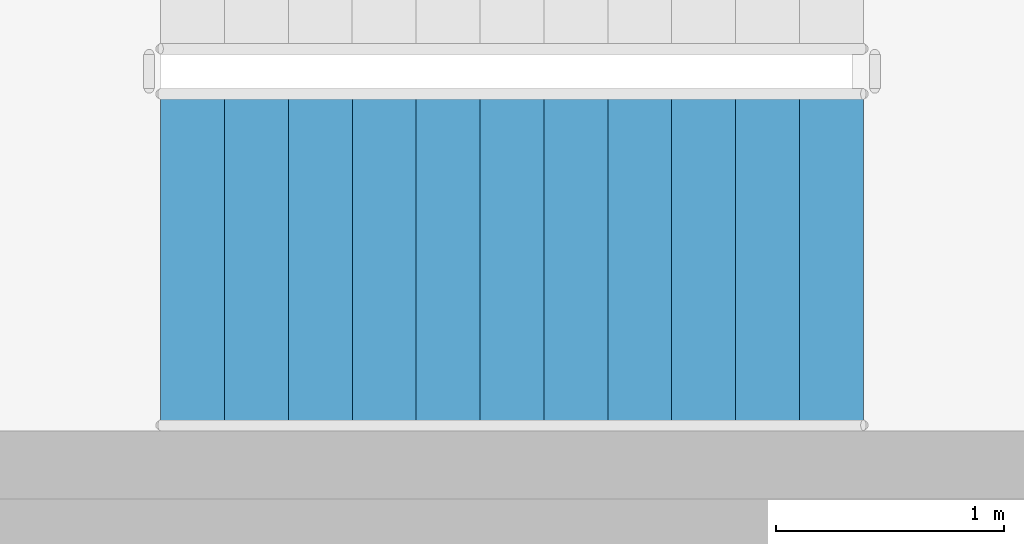
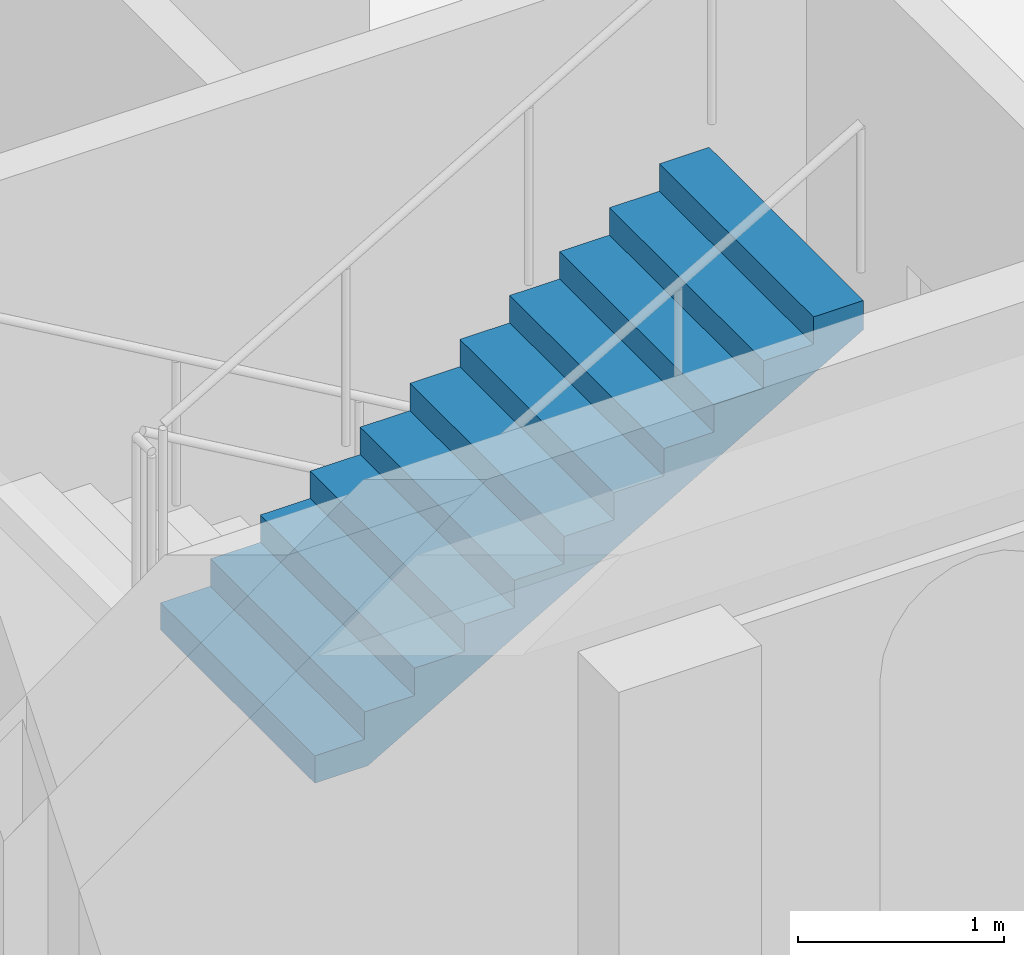
# One storey, part 47 of 56: 1 stair flight, 1 element without a shape of its own.
"""IFC4 building model written with IfcOpenShell, lengths in metres."""

from ifc_helpers import new_model, si_unit, direction, frame, origin, place, context, subcontext, project, spatial, triangles, material, type_object, element, aggregate, save


model = new_model("IFC4")

# Units and contexts
model_context = context("Model", 3, precision=1e-05, world=origin(), true_north=direction((0.0, 1.0)))
body_context = subcontext(model_context, "Body", "Model", "MODEL_VIEW")
ifc_project = project(units=[si_unit("LENGTHUNIT", "METRE"), si_unit("AREAUNIT", "SQUARE_METRE"), si_unit("VOLUMEUNIT", "CUBIC_METRE"), si_unit("PLANEANGLEUNIT", "RADIAN"), si_unit("MASSUNIT", "GRAM", prefix="KILO")], contexts=[model_context])

# Site, building, storey
site_placement = place(None, origin())
site = spatial("IfcSite", under=ifc_project, at=site_placement, CompositionType="ELEMENT")
building_placement = place(site_placement, origin())
building = spatial("IfcBuilding", under=site, at=building_placement, Name="Magnolia Steps Interchange", CompositionType="ELEMENT")
storey_placement = place(building_placement, frame((0.0, 0.0, 8.699951171875)))
storey = spatial("IfcBuildingStorey", under=building, at=storey_placement, Name="L02", CompositionType="ELEMENT", Elevation=8.699951171875)

# Stair, stair flight
ifc_material_1 = material(Name="Concrete C40", Category="concrete")
stair_type = type_object("IfcStairType", Name="Exit stair 1500", PredefinedType="HALF_TURN_STAIR", material=ifc_material_1)
stair_placement = place(storey_placement, origin())
stair = element("IfcStair", 1, at=stair_placement, inside=storey, type_object=stair_type, Name="L02 Stair 28", PredefinedType="HALF_TURN_STAIR")
ifc_material_2 = material(Name="Concrete C40", Category="concrete")
stair_flight_type = type_object("IfcStairFlightType", Name="Exit stair flight", PredefinedType="STRAIGHT", material=ifc_material_2)
stair_flight_placement = place(storey_placement, frame((66.070068359375, 97.60009765625, 1.949951171875), z_axis=(0.0, 0.0, 1.0), x_axis=(1.0, 0.0, 0.0)))
stair_flight = element("IfcStairFlight", 2, at=stair_flight_placement, type_object=stair_flight_type, Name="Stair 28 flight 2", NumberOfRisers=12, NumberOfTreads=11, PredefinedType="STRAIGHT", RiserHeight=0.1625, TreadLength=0.28, context=body_context, shape_type="Tessellation", body=[
    triangles([(0.0, -0.75, 0.0), (0.298583984375, -0.75, 0.0), (3.080078125, -0.75, 1.6142578125), (3.080078125, -0.75, 1.78759765625), (2.800048828125, -0.75, 1.78759765625), (2.800048828125, -0.75, 1.625), (2.52001953125, -0.75, 1.625), (2.52001953125, -0.75, 1.46240234375), (2.239990234375, -0.75, 1.46240234375), (2.239990234375, -0.75, 1.300048828125), (1.9599609375, -0.75, 1.300048828125), (1.9599609375, -0.75, 1.137451171875), (1.679931640625, -0.75, 1.137451171875), (1.679931640625, -0.75, 0.97509765625), (1.39990234375, -0.75, 0.97509765625), (1.39990234375, -0.75, 0.8125), (1.1201171875, -0.75, 0.8125), (1.1201171875, -0.75, 0.64990234375), (0.840087890625, -0.75, 0.64990234375), (0.840087890625, -0.75, 0.487548828125), (0.56005859375, -0.75, 0.487548828125), (0.56005859375, -0.75, 0.324951171875), (0.280029296875, -0.75, 0.324951171875), (0.280029296875, -0.75, 0.16259765625), (0.0, -0.75, 0.16259765625), (0.0, 0.75, 0.0), (0.298583984375, 0.75, 0.0), (3.080078125, 0.75, 1.6142578125), (3.080078125, 0.75, 1.78759765625), (2.800048828125, 0.75, 1.78759765625), (2.800048828125, 0.75, 1.625), (2.52001953125, 0.75, 1.625), (2.52001953125, 0.75, 1.46240234375), (2.239990234375, 0.75, 1.46240234375), (2.239990234375, 0.75, 1.300048828125), (1.9599609375, 0.75, 1.300048828125), (1.9599609375, 0.75, 1.137451171875), (1.679931640625, 0.75, 1.137451171875), (1.679931640625, 0.75, 0.97509765625), (1.39990234375, 0.75, 0.97509765625), (1.39990234375, 0.75, 0.8125), (1.1201171875, 0.75, 0.8125), (1.1201171875, 0.75, 0.64990234375), (0.840087890625, 0.75, 0.64990234375), (0.840087890625, 0.75, 0.487548828125), (0.56005859375, 0.75, 0.487548828125), (0.56005859375, 0.75, 0.324951171875), (0.280029296875, 0.75, 0.324951171875), (0.280029296875, 0.75, 0.16259765625), (0.0, 0.75, 0.16259765625), (0.0, 0.0, 0.0), (0.0, 0.0, 0.0406494140625), (0.0, 0.0, 0.081298828125), (0.0, 0.0, 0.1219482421875), (0.0, 0.0, 0.16259765625), (0.0, -0.05, 0.0), (0.0, -0.05, 0.16259765625), (0.0, 0.05, 0.0), (0.0, 0.05, 0.16259765625), (0.046671549479166664, 0.0, 0.16259765625), (0.09334309895833333, 0.0, 0.16259765625), (0.1400146484375, 0.0, 0.16259765625), (0.18668619791666666, 0.0, 0.16259765625), (0.23335774739583334, 0.0, 0.16259765625), (0.280029296875, 0.0, 0.16259765625), (0.280029296875, -0.05, 0.16259765625), (0.280029296875, 0.05, 0.16259765625), (0.280029296875, 0.0, 0.20318603515625), (0.280029296875, 0.0, 0.2437744140625), (0.280029296875, 0.0, 0.28436279296875), (0.280029296875, 0.0, 0.324951171875), (0.280029296875, -0.05, 0.324951171875), (0.280029296875, 0.05, 0.324951171875), (0.3267008463541667, 0.0, 0.324951171875), (0.3733723958333333, 0.0, 0.324951171875), (0.4200439453125, 0.0, 0.324951171875), (0.46671549479166663, 0.0, 0.324951171875), (0.5133870442708334, 0.0, 0.324951171875), (0.56005859375, 0.0, 0.324951171875), (0.56005859375, -0.05, 0.324951171875), (0.56005859375, 0.05, 0.324951171875), (0.56005859375, 0.0, 0.3656005859375), (0.56005859375, 0.0, 0.40625), (0.56005859375, 0.0, 0.4468994140625), (0.56005859375, 0.0, 0.487548828125), (0.56005859375, -0.05, 0.487548828125), (0.56005859375, 0.05, 0.487548828125), (0.6067301432291666, 0.0, 0.487548828125), (0.6534016927083334, 0.0, 0.487548828125), (0.7000732421875, 0.0, 0.487548828125), (0.7467447916666666, 0.0, 0.487548828125), (0.7934163411458334, 0.0, 0.487548828125), (0.840087890625, 0.0, 0.487548828125), (0.840087890625, -0.05, 0.487548828125), (0.840087890625, 0.05, 0.487548828125), (0.840087890625, 0.0, 0.52813720703125), (0.840087890625, 0.0, 0.5687255859375), (0.840087890625, 0.0, 0.60931396484375), (0.840087890625, 0.0, 0.64990234375), (0.840087890625, -0.05, 0.64990234375), (0.840087890625, 0.05, 0.64990234375), (0.8867594401041666, 0.0, 0.64990234375), (0.9334309895833334, 0.0, 0.64990234375), (0.9801025390625, 0.0, 0.64990234375), (1.0267740885416667, 0.0, 0.64990234375), (1.0734456380208333, 0.0, 0.64990234375), (1.1201171875, 0.0, 0.64990234375), (1.1201171875, -0.05, 0.64990234375), (1.1201171875, 0.05, 0.64990234375), (1.1201171875, 0.0, 0.6905517578125), (1.1201171875, 0.0, 0.731201171875), (1.1201171875, 0.0, 0.7718505859375), (1.1201171875, 0.0, 0.8125), (1.1201171875, -0.05, 0.8125), (1.1201171875, 0.05, 0.8125), (1.1900634765625, 0.0, 0.8125), (1.260009765625, 0.0, 0.8125), (1.3299560546875, 0.0, 0.8125), (1.39990234375, 0.0, 0.8125), (1.39990234375, -0.05, 0.8125), (1.39990234375, 0.05, 0.8125), (1.39990234375, 0.0, 0.8531494140625), (1.39990234375, 0.0, 0.893798828125), (1.39990234375, 0.0, 0.9344482421875), (1.39990234375, 0.0, 0.97509765625), (1.39990234375, -0.05, 0.97509765625), (1.39990234375, 0.05, 0.97509765625), (1.4465738932291667, 0.0, 0.97509765625), (1.4932454427083333, 0.0, 0.97509765625), (1.5399169921875, 0.0, 0.97509765625), (1.5865885416666667, 0.0, 0.97509765625), (1.6332600911458333, 0.0, 0.97509765625), (1.679931640625, 0.0, 0.97509765625), (1.679931640625, -0.05, 0.97509765625), (1.679931640625, 0.05, 0.97509765625), (1.679931640625, 0.0, 1.01568603515625), (1.679931640625, 0.0, 1.0562744140625), (1.679931640625, 0.0, 1.09686279296875), (1.679931640625, 0.0, 1.137451171875), (1.679931640625, -0.05, 1.137451171875), (1.679931640625, 0.05, 1.137451171875), (1.7266031901041667, 0.0, 1.137451171875), (1.7732747395833333, 0.0, 1.137451171875), (1.8199462890625, 0.0, 1.137451171875), (1.8666178385416667, 0.0, 1.137451171875), (1.9132893880208333, 0.0, 1.137451171875), (1.9599609375, 0.0, 1.137451171875), (1.9599609375, -0.05, 1.137451171875), (1.9599609375, 0.05, 1.137451171875), (1.9599609375, 0.0, 1.1781005859375), (1.9599609375, 0.0, 1.21875), (1.9599609375, 0.0, 1.2593994140625), (1.9599609375, 0.0, 1.300048828125), (1.9599609375, -0.05, 1.300048828125), (1.9599609375, 0.05, 1.300048828125), (2.0066324869791665, 0.0, 1.300048828125), (2.0533040364583335, 0.0, 1.300048828125), (2.0999755859375, 0.0, 1.300048828125), (2.1466471354166665, 0.0, 1.300048828125), (2.1933186848958335, 0.0, 1.300048828125), (2.239990234375, 0.0, 1.300048828125), (2.239990234375, -0.05, 1.300048828125), (2.239990234375, 0.05, 1.300048828125), (2.239990234375, 0.0, 1.34063720703125), (2.239990234375, 0.0, 1.3812255859375), (2.239990234375, 0.0, 1.42181396484375), (2.239990234375, 0.0, 1.46240234375), (2.239990234375, -0.05, 1.46240234375), (2.239990234375, 0.05, 1.46240234375), (2.2866617838541665, 0.0, 1.46240234375), (2.3333333333333335, 0.0, 1.46240234375), (2.3800048828125, 0.0, 1.46240234375), (2.4266764322916665, 0.0, 1.46240234375), (2.4733479817708335, 0.0, 1.46240234375), (2.52001953125, 0.0, 1.46240234375), (2.52001953125, -0.05, 1.46240234375), (2.52001953125, 0.05, 1.46240234375), (2.52001953125, 0.0, 1.5030517578125), (2.52001953125, 0.0, 1.543701171875), (2.52001953125, 0.0, 1.5843505859375), (2.52001953125, 0.0, 1.625), (2.52001953125, -0.05, 1.625), (2.52001953125, 0.05, 1.625), (2.5666910807291665, 0.0, 1.625), (2.6133626302083335, 0.0, 1.625), (2.6600341796875, 0.0, 1.625), (2.7067057291666665, 0.0, 1.625), (2.7533772786458335, 0.0, 1.625), (2.800048828125, 0.0, 1.625), (2.800048828125, -0.05, 1.625), (2.800048828125, 0.05, 1.625), (2.800048828125, 0.0, 1.6656494140625), (2.800048828125, 0.0, 1.706298828125), (2.800048828125, 0.0, 1.7469482421875), (2.800048828125, 0.0, 1.78759765625), (2.800048828125, -0.05, 1.78759765625), (2.800048828125, 0.05, 1.78759765625), (2.8467203776041665, 0.0, 1.78759765625), (2.8933919270833335, 0.0, 1.78759765625), (2.9400634765625, 0.0, 1.78759765625), (2.9867350260416665, 0.0, 1.78759765625), (3.0334065755208335, 0.0, 1.78759765625), (3.080078125, 0.0, 1.78759765625), (3.080078125, -0.05, 1.78759765625), (3.080078125, 0.05, 1.78759765625), (3.080078125, 0.0, 1.7442626953125), (3.080078125, 0.0, 1.700927734375), (3.080078125, 0.0, 1.6575927734375), (3.080078125, 0.0, 1.6142578125), (3.080078125, -0.05, 1.6142578125), (3.080078125, 0.05, 1.6142578125), (3.0196108610733696, 0.0, 1.5791652513586956), (2.9591435971467392, 0.0, 1.5440726902173914), (2.898676333220109, 0.0, 1.508980129076087), (2.8382090692934785, 0.0, 1.4738875679347827), (2.7777418053668477, 0.0, 1.4387950067934783), (2.7172745414402173, 0.0, 1.4037024456521738), (2.656807277513587, 0.0, 1.3686098845108696), (2.5963400135869565, 0.0, 1.3335173233695652), (2.535872749660326, 0.0, 1.2984247622282608), (2.475405485733696, 0.0, 1.2633322010869565), (2.4149382218070654, 0.0, 1.228239639945652), (2.3544709578804346, 0.0, 1.193147078804348), (2.294003693953804, 0.0, 1.1580545176630435), (2.233536430027174, 0.0, 1.1229619565217392), (2.1730691661005435, 0.0, 1.0878693953804348), (2.112601902173913, 0.0, 1.0527768342391304), (2.0521346382472827, 0.0, 1.0176842730978262), (1.991667374320652, 0.0, 0.9825917119565217), (1.9312001103940217, 0.0, 0.9474991508152174), (1.8707328464673914, 0.0, 0.9124065896739131), (1.810265582540761, 0.0, 0.8773140285326086), (1.7497983186141304, 0.0, 0.8422214673913043), (1.6893310546875, 0.0, 0.80712890625), (1.6288637907608696, 0.0, 0.7720363451086957), (1.568396526834239, 0.0, 0.7369437839673914), (1.5079292629076086, 0.0, 0.7018512228260869), (1.4474619989809783, 0.0, 0.6667586616847826), (1.386994735054348, 0.0, 0.6316661005434783), (1.3265274711277173, 0.0, 0.5965735394021738), (1.266060207201087, 0.0, 0.5614809782608696), (1.2055929432744565, 0.0, 0.5263884171195652), (1.1451256793478262, 0.0, 0.491295855978261), (1.0846584154211956, 0.0, 0.45620329483695654), (1.0241911514945654, 0.0, 0.4211107336956521), (0.9637238875679346, 0.0, 0.3860181725543479), (0.9032566236413042, 0.0, 0.35092561141304346), (0.8427893597146738, 0.0, 0.315833050271739), (0.7823220957880435, 0.0, 0.2807404891304348), (0.7218548318614131, 0.0, 0.24564792798913038), (0.6613875679347827, 0.0, 0.21055536684782616), (0.6009203040081523, 0.0, 0.17546280570652173), (0.540453040081522, 0.0, 0.1403702445652173), (0.47998577615489113, 0.0, 0.10527768342391308), (0.41951851222826075, 0.0, 0.07018512228260865), (0.3590512483016304, 0.0, 0.035092561141304435), (0.298583984375, 0.0, 0.0), (0.298583984375, -0.05, 0.0), (0.298583984375, 0.05, 0.0), (0.24881998697916666, 0.0, 0.0), (0.19905598958333331, 0.0, 0.0), (0.1492919921875, 0.0, 0.0), (0.09952799479166666, 0.0, 0.0), (0.04976399739583334, 0.0, 0.0)], [[1, 2, 3], [3, 4, 5], [3, 5, 6], [3, 6, 7], [3, 7, 8], [8, 9, 10], [3, 8, 10], [10, 11, 12], [3, 10, 12], [12, 13, 14], [3, 12, 14], [14, 15, 16], [3, 14, 16], [16, 17, 18], [3, 16, 18], [18, 19, 20], [3, 18, 20], [20, 21, 22], [3, 20, 22], [1, 3, 22], [22, 23, 24], [1, 22, 24], [24, 25, 1], [26, 28, 27], [28, 30, 29], [28, 31, 30], [28, 32, 31], [28, 33, 32], [33, 35, 34], [28, 35, 33], [35, 37, 36], [28, 37, 35], [37, 39, 38], [28, 39, 37], [39, 41, 40], [28, 41, 39], [41, 43, 42], [28, 43, 41], [43, 45, 44], [28, 45, 43], [45, 47, 46], [28, 47, 45], [26, 47, 28], [47, 49, 48], [26, 49, 47], [49, 26, 50], [1, 25, 57], [1, 57, 56], [56, 52, 51], [56, 53, 52], [56, 57, 53], [57, 54, 53], [57, 55, 54], [26, 59, 50], [26, 58, 59], [58, 51, 52], [58, 52, 53], [58, 53, 59], [59, 53, 54], [59, 54, 55], [25, 24, 66], [25, 66, 57], [57, 60, 55], [57, 61, 60], [57, 62, 61], [57, 66, 62], [66, 63, 62], [66, 64, 63], [66, 65, 64], [50, 67, 49], [50, 59, 67], [59, 55, 60], [59, 60, 61], [59, 61, 62], [59, 62, 67], [67, 62, 63], [67, 63, 64], [67, 64, 65], [24, 23, 72], [24, 72, 66], [66, 68, 65], [66, 69, 68], [66, 72, 69], [72, 70, 69], [72, 71, 70], [49, 73, 48], [49, 67, 73], [67, 65, 68], [67, 68, 69], [67, 69, 73], [73, 69, 70], [73, 70, 71], [23, 22, 80], [23, 80, 72], [72, 74, 71], [72, 75, 74], [72, 76, 75], [72, 80, 76], [80, 77, 76], [80, 78, 77], [80, 79, 78], [48, 81, 47], [48, 73, 81], [73, 71, 74], [73, 74, 75], [73, 75, 76], [73, 76, 81], [81, 76, 77], [81, 77, 78], [81, 78, 79], [22, 21, 86], [22, 86, 80], [80, 82, 79], [80, 83, 82], [80, 86, 83], [86, 84, 83], [86, 85, 84], [47, 87, 46], [47, 81, 87], [81, 79, 82], [81, 82, 83], [81, 83, 87], [87, 83, 84], [87, 84, 85], [21, 20, 94], [21, 94, 86], [86, 88, 85], [86, 89, 88], [86, 90, 89], [86, 94, 90], [94, 91, 90], [94, 92, 91], [94, 93, 92], [46, 95, 45], [46, 87, 95], [87, 85, 88], [87, 88, 89], [87, 89, 90], [87, 90, 95], [95, 90, 91], [95, 91, 92], [95, 92, 93], [20, 19, 100], [20, 100, 94], [94, 96, 93], [94, 97, 96], [94, 100, 97], [100, 98, 97], [100, 99, 98], [45, 101, 44], [45, 95, 101], [95, 93, 96], [95, 96, 97], [95, 97, 101], [101, 97, 98], [101, 98, 99], [19, 18, 108], [19, 108, 100], [100, 102, 99], [100, 103, 102], [100, 104, 103], [100, 108, 104], [108, 105, 104], [108, 106, 105], [108, 107, 106], [44, 109, 43], [44, 101, 109], [101, 99, 102], [101, 102, 103], [101, 103, 104], [101, 104, 109], [109, 104, 105], [109, 105, 106], [109, 106, 107], [18, 17, 114], [18, 114, 108], [108, 110, 107], [108, 111, 110], [108, 114, 111], [114, 112, 111], [114, 113, 112], [43, 115, 42], [43, 109, 115], [109, 107, 110], [109, 110, 111], [109, 111, 115], [115, 111, 112], [115, 112, 113], [17, 16, 120], [17, 120, 114], [114, 116, 113], [114, 117, 116], [114, 120, 117], [120, 118, 117], [120, 119, 118], [42, 121, 41], [42, 115, 121], [115, 113, 116], [115, 116, 117], [115, 117, 121], [121, 117, 118], [121, 118, 119], [16, 15, 126], [16, 126, 120], [120, 122, 119], [120, 123, 122], [120, 126, 123], [126, 124, 123], [126, 125, 124], [41, 127, 40], [41, 121, 127], [121, 119, 122], [121, 122, 123], [121, 123, 127], [127, 123, 124], [127, 124, 125], [15, 14, 134], [15, 134, 126], [126, 128, 125], [126, 129, 128], [126, 130, 129], [126, 134, 130], [134, 131, 130], [134, 132, 131], [134, 133, 132], [40, 135, 39], [40, 127, 135], [127, 125, 128], [127, 128, 129], [127, 129, 130], [127, 130, 135], [135, 130, 131], [135, 131, 132], [135, 132, 133], [14, 13, 140], [14, 140, 134], [134, 136, 133], [134, 137, 136], [134, 140, 137], [140, 138, 137], [140, 139, 138], [39, 141, 38], [39, 135, 141], [135, 133, 136], [135, 136, 137], [135, 137, 141], [141, 137, 138], [141, 138, 139], [13, 12, 148], [13, 148, 140], [140, 142, 139], [140, 143, 142], [140, 144, 143], [140, 148, 144], [148, 145, 144], [148, 146, 145], [148, 147, 146], [38, 149, 37], [38, 141, 149], [141, 139, 142], [141, 142, 143], [141, 143, 144], [141, 144, 149], [149, 144, 145], [149, 145, 146], [149, 146, 147], [12, 11, 154], [12, 154, 148], [148, 150, 147], [148, 151, 150], [148, 154, 151], [154, 152, 151], [154, 153, 152], [37, 155, 36], [37, 149, 155], [149, 147, 150], [149, 150, 151], [149, 151, 155], [155, 151, 152], [155, 152, 153], [11, 10, 162], [11, 162, 154], [154, 156, 153], [154, 157, 156], [154, 158, 157], [154, 162, 158], [162, 159, 158], [162, 160, 159], [162, 161, 160], [36, 163, 35], [36, 155, 163], [155, 153, 156], [155, 156, 157], [155, 157, 158], [155, 158, 163], [163, 158, 159], [163, 159, 160], [163, 160, 161], [10, 9, 168], [10, 168, 162], [162, 164, 161], [162, 165, 164], [162, 168, 165], [168, 166, 165], [168, 167, 166], [35, 169, 34], [35, 163, 169], [163, 161, 164], [163, 164, 165], [163, 165, 169], [169, 165, 166], [169, 166, 167], [9, 8, 176], [9, 176, 168], [168, 170, 167], [168, 171, 170], [168, 172, 171], [168, 176, 172], [176, 173, 172], [176, 174, 173], [176, 175, 174], [34, 177, 33], [34, 169, 177], [169, 167, 170], [169, 170, 171], [169, 171, 172], [169, 172, 177], [177, 172, 173], [177, 173, 174], [177, 174, 175], [8, 7, 182], [8, 182, 176], [176, 178, 175], [176, 179, 178], [176, 182, 179], [182, 180, 179], [182, 181, 180], [33, 183, 32], [33, 177, 183], [177, 175, 178], [177, 178, 179], [177, 179, 183], [183, 179, 180], [183, 180, 181], [7, 6, 190], [7, 190, 182], [182, 184, 181], [182, 185, 184], [182, 186, 185], [182, 190, 186], [190, 187, 186], [190, 188, 187], [190, 189, 188], [32, 191, 31], [32, 183, 191], [183, 181, 184], [183, 184, 185], [183, 185, 186], [183, 186, 191], [191, 186, 187], [191, 187, 188], [191, 188, 189], [6, 5, 196], [6, 196, 190], [190, 192, 189], [190, 193, 192], [190, 196, 193], [196, 194, 193], [196, 195, 194], [31, 197, 30], [31, 191, 197], [191, 189, 192], [191, 192, 193], [191, 193, 197], [197, 193, 194], [197, 194, 195], [5, 4, 204], [5, 204, 196], [196, 198, 195], [196, 199, 198], [196, 200, 199], [196, 204, 200], [204, 201, 200], [204, 202, 201], [204, 203, 202], [30, 205, 29], [30, 197, 205], [197, 195, 198], [197, 198, 199], [197, 199, 200], [197, 200, 205], [205, 200, 201], [205, 201, 202], [205, 202, 203], [4, 3, 210], [4, 210, 204], [204, 206, 203], [204, 207, 206], [204, 210, 207], [210, 208, 207], [210, 209, 208], [29, 211, 28], [29, 205, 211], [205, 203, 206], [205, 206, 207], [205, 207, 211], [211, 207, 208], [211, 208, 209], [3, 2, 258], [3, 258, 210], [210, 212, 209], [210, 213, 212], [210, 214, 213], [210, 215, 214], [210, 216, 215], [210, 217, 216], [210, 218, 217], [210, 219, 218], [210, 220, 219], [210, 221, 220], [210, 222, 221], [210, 223, 222], [210, 224, 223], [210, 225, 224], [210, 226, 225], [210, 227, 226], [210, 228, 227], [210, 229, 228], [210, 230, 229], [210, 231, 230], [210, 232, 231], [210, 233, 232], [210, 234, 233], [210, 258, 234], [258, 235, 234], [258, 236, 235], [258, 237, 236], [258, 238, 237], [258, 239, 238], [258, 240, 239], [258, 241, 240], [258, 242, 241], [258, 243, 242], [258, 244, 243], [258, 245, 244], [258, 246, 245], [258, 247, 246], [258, 248, 247], [258, 249, 248], [258, 250, 249], [258, 251, 250], [258, 252, 251], [258, 253, 252], [258, 254, 253], [258, 255, 254], [258, 256, 255], [258, 257, 256], [28, 259, 27], [28, 211, 259], [211, 209, 212], [211, 212, 213], [211, 213, 214], [211, 214, 215], [211, 215, 216], [211, 216, 217], [211, 217, 218], [211, 218, 219], [211, 219, 220], [211, 220, 221], [211, 221, 222], [211, 222, 223], [211, 223, 224], [211, 224, 225], [211, 225, 226], [211, 226, 227], [211, 227, 228], [211, 228, 229], [211, 229, 230], [211, 230, 231], [211, 231, 232], [211, 232, 233], [211, 233, 234], [211, 234, 259], [259, 234, 235], [259, 235, 236], [259, 236, 237], [259, 237, 238], [259, 238, 239], [259, 239, 240], [259, 240, 241], [259, 241, 242], [259, 242, 243], [259, 243, 244], [259, 244, 245], [259, 245, 246], [259, 246, 247], [259, 247, 248], [259, 248, 249], [259, 249, 250], [259, 250, 251], [259, 251, 252], [259, 252, 253], [259, 253, 254], [259, 254, 255], [259, 255, 256], [259, 256, 257], [2, 1, 56], [2, 56, 258], [258, 260, 257], [258, 261, 260], [258, 262, 261], [258, 56, 262], [56, 263, 262], [56, 264, 263], [56, 51, 264], [27, 58, 26], [27, 259, 58], [259, 257, 260], [259, 260, 261], [259, 261, 262], [259, 262, 58], [58, 262, 263], [58, 263, 264], [58, 264, 51]], closed=True),
])
aggregate(stair, [stair_flight])

save(model, "model.ifc")
